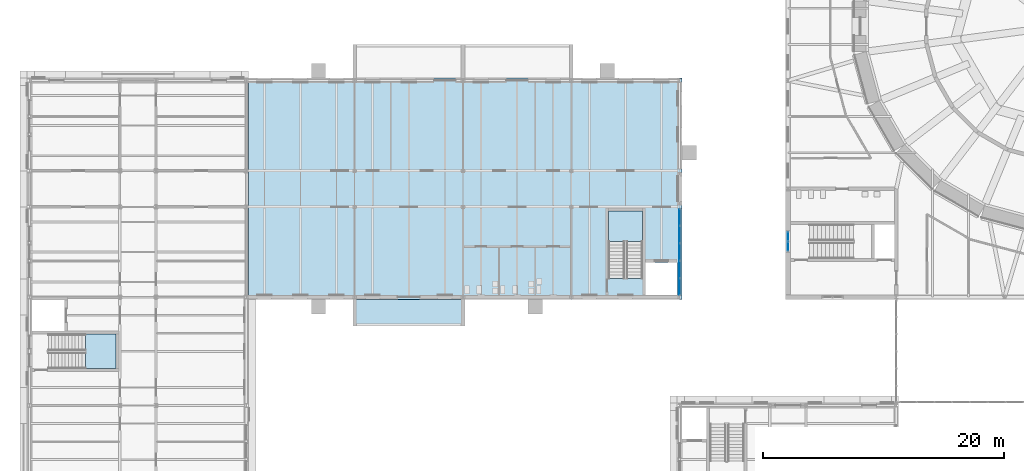
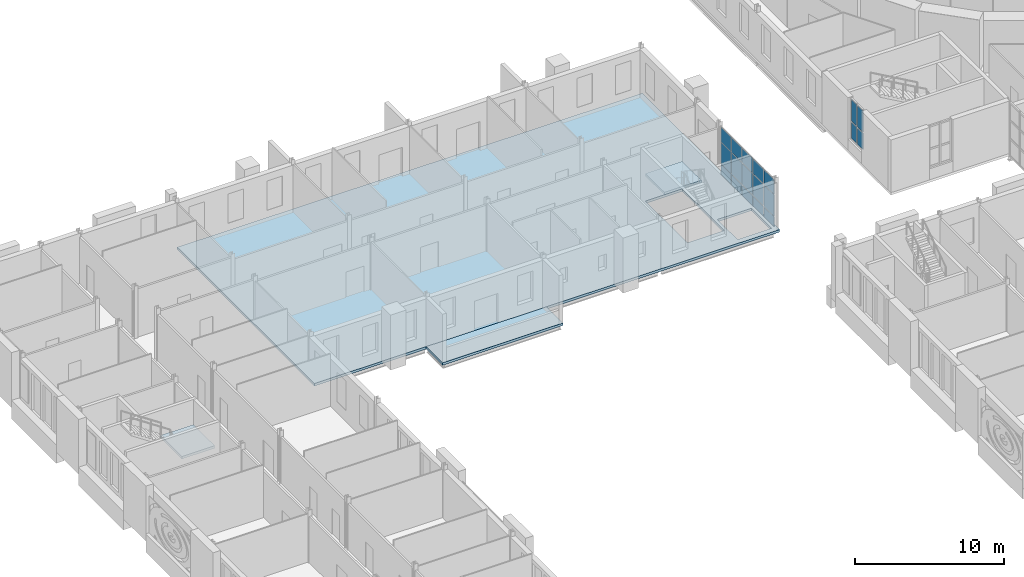
# One storey, part 64 of 131: 19 plates, 4 slabs, 4 elements without a shape of their own.
"""IFC4 building model written with IfcOpenShell, lengths in metres."""

from ifc_helpers import new_model, si_unit, direction, frame, origin, origin_2d, place, context, subcontext, project, spatial, polyline, rectangle, outline, extrude, material, layer, layer_set, type_object, element, aggregate, save


model = new_model("IFC4")

# Units and contexts
model_context = context("Model", 3, precision=1e-05, world=origin(), true_north=direction((0.0, 1.0)))
body_context = subcontext(model_context, "Body", "Model", "MODEL_VIEW")
ifc_project = project(units=[si_unit("LENGTHUNIT", "METRE"), si_unit("AREAUNIT", "SQUARE_METRE"), si_unit("VOLUMEUNIT", "CUBIC_METRE"), si_unit("PLANEANGLEUNIT", "RADIAN"), si_unit("MASSUNIT", "GRAM", prefix="KILO")], contexts=[model_context])

# Site, building, storey
site_placement = place(None, origin())
site = spatial("IfcSite", under=ifc_project, at=site_placement, CompositionType="ELEMENT")
building_placement = place(site_placement, origin())
building = spatial("IfcBuilding", under=site, at=building_placement, Name="Golden Quay Civic Hall", CompositionType="ELEMENT")
storey_placement = place(building_placement, frame((0.0, 0.0, 9.89990234375)))
storey = spatial("IfcBuildingStorey", under=building, at=storey_placement, Name="L02", CompositionType="ELEMENT", Elevation=9.89990234375)

# Slab
ifc_material_1 = material(Name="Concrete C35/45", Category="concrete")
ifc_layer_1 = layer(ifc_material_1, 0.199951171875)
ifc_layer_set_1 = layer_set([ifc_layer_1], Name="Composite floor 200")
slab_type_1 = type_object("IfcSlabType", Name="Composite floor 200", PredefinedType="FLOOR", material=ifc_layer_set_1)
slab_1_placement = place(storey_placement, frame((0.0, 0.0, -0.199951171875)))
element("IfcSlab", 1, at=slab_1_placement, inside=storey, type_object=slab_type_1, Name="NW floor L02", PredefinedType="FLOOR", context=body_context, shape_type="SweptSolid", body=[
    extrude(outline(polyline([(18.199951171875, 62.800048828125), (18.199951171875, 81.199951171875), (54.199951171875, 81.199951171875), (54.199951171875, 62.800048828125), (18.199951171875, 62.800048828125)]), holes=[polyline([(48.074951171875, 70.175048828125), (48.074951171875, 64.554931640625), (50.925048828125, 64.554931640625), (50.925048828125, 70.175048828125), (48.074951171875, 70.175048828125)]), polyline([(53.800048828125, 65.89990234375), (51.175048828125, 65.89990234375), (51.175048828125, 63.199951171875), (53.800048828125, 63.199951171875), (53.800048828125, 65.89990234375)])]), origin(), (0.0, 0.0, 1.0), 0.199951171875),
])

# Stair, slab
ifc_material_2 = material(Name="Concrete C35/45", Category="concrete")
stair_type = type_object("IfcStairType", Name="Concrete stair 1350 wide 24 risers of 187.5", PredefinedType="HALF_TURN_STAIR", material=ifc_material_2)
stair_1_placement = place(storey_placement, origin())
stair_1 = element("IfcStair", 2, at=stair_1_placement, inside=storey, type_object=stair_type, Name="L02 Stair WO-N", PredefinedType="HALF_TURN_STAIR")
ifc_material_3 = material(Name="Concrete C35/45", Category="concrete")
ifc_layer_2 = layer(ifc_material_3, 0.199951171875)
ifc_layer_set_2 = layer_set([ifc_layer_2], Name="Concrete stair landing 200, Concrete C35/45")
slab_type_2 = type_object("IfcSlabType", Name="Concrete stair landing 200", PredefinedType="LANDING", material=ifc_layer_set_2)
slab_2_placement = place(storey_placement, frame((0.0, 0.0, 2.050048828125)))
slab_2 = element("IfcSlab", 3, at=slab_2_placement, type_object=slab_type_2, Name="WO-N landing 1", PredefinedType="LANDING", context=body_context, shape_type="SweptSolid", body=[
    extrude(outline(polyline([(4.6298828125, 57.074951171875), (7.175048828125, 57.074951171875), (7.175048828125, 59.925048828125), (4.6298828125, 59.925048828125), (4.6298828125, 57.074951171875)])), origin(), (0.0, 0.0, 1.0), 0.199951171875),
])
aggregate(stair_1, [slab_2])

stair_2_placement = place(storey_placement, origin())
stair_2 = element("IfcStair", 4, at=stair_2_placement, inside=storey, type_object=stair_type, Name="L02 Stair NW-E", PredefinedType="HALF_TURN_STAIR")
slab_3_placement = place(storey_placement, frame((0.0, 0.0, 2.050048828125)))
slab_3 = element("IfcSlab", 5, at=slab_3_placement, type_object=slab_type_2, Name="NW-E landing 1", PredefinedType="LANDING", context=body_context, shape_type="SweptSolid", body=[
    extrude(outline(polyline([(50.925048828125, 67.6298828125), (50.925048828125, 70.175048828125), (48.074951171875, 70.175048828125), (48.074951171875, 67.6298828125), (50.925048828125, 67.6298828125)])), origin(), (0.0, 0.0, 1.0), 0.199951171875),
])
aggregate(stair_2, [slab_3])

# Curtain wall, plates
ifc_material_4 = material(Name="Glass, laminated double glazed", Category="glass")
ifc_layer_3 = layer(ifc_material_4, 0.199951171875)
ifc_layer_set_3 = layer_set([ifc_layer_3], Name="Glazed core strip curtain wall")
curtain_wall_type_1 = type_object("IfcCurtainWallType", Name="Glazed core strip curtain wall", PredefinedType="NOTDEFINED", material=ifc_layer_set_3)
curtain_wall_1_placement = place(storey_placement, origin())
curtain_wall_1 = element("IfcCurtainWall", 6, at=curtain_wall_1_placement, inside=storey, type_object=curtain_wall_type_1, Name="Glazed core strip curtain wall L02 2", PredefinedType="NOTDEFINED")
ifc_material_5 = material(Name="Glass, laminated double glazed", Category="glass")
ifc_layer_4 = layer(ifc_material_5, 0.028076171875)
ifc_layer_set_4 = layer_set([ifc_layer_4], Name="Double glazed curtain wall panel 28")
plate_type_1 = type_object("IfcPlateType", Name="Double glazed curtain wall panel 28", PredefinedType="CURTAIN_PANEL", material=ifc_layer_set_4)
plate_1_placement = place(storey_placement, frame((54.0, 69.626953125, 0.06005859375), z_axis=(0.0, 0.0, 1.0), x_axis=(0.0, -1.0, 0.0)))
plate_1 = element("IfcPlate", 7, at=plate_1_placement, type_object=plate_type_1, Name="CW2 panel 1.1", PredefinedType="CURTAIN_PANEL", context=body_context, shape_type="SweptSolid", body=[
    extrude(rectangle(XDim=1.35595703125, YDim=0.028076171875, at=origin_2d()), origin(), (0.0, 0.0, 1.0), 0.81005859375),
])
plate_2_placement = place(storey_placement, frame((54.0, 69.626953125, 0.93017578125), z_axis=(0.0, 0.0, 1.0), x_axis=(0.0, -1.0, 0.0)))
plate_2 = element("IfcPlate", 8, at=plate_2_placement, type_object=plate_type_1, Name="CW2 panel 1.2", PredefinedType="CURTAIN_PANEL", context=body_context, shape_type="SweptSolid", body=[
    extrude(rectangle(XDim=1.35595703125, YDim=0.028076171875, at=origin_2d()), origin(), (0.0, 0.0, 1.0), 1.739990234375),
])
plate_3_placement = place(storey_placement, frame((54.0, 69.626953125, 2.72998046875), z_axis=(0.0, 0.0, 1.0), x_axis=(0.0, -1.0, 0.0)))
plate_3 = element("IfcPlate", 9, at=plate_3_placement, type_object=plate_type_1, Name="CW2 panel 1.3", PredefinedType="CURTAIN_PANEL", context=body_context, shape_type="SweptSolid", body=[
    extrude(rectangle(XDim=1.35595703125, YDim=0.028076171875, at=origin_2d()), origin(), (0.0, 0.0, 1.0), 1.179931640625),
])
plate_4_placement = place(storey_placement, frame((54.0, 68.196044921875, 0.06005859375), z_axis=(0.0, 0.0, 1.0), x_axis=(0.0, -1.0, 0.0)))
plate_4 = element("IfcPlate", 10, at=plate_4_placement, type_object=plate_type_1, Name="CW2 panel 2.1", PredefinedType="CURTAIN_PANEL", context=body_context, shape_type="SweptSolid", body=[
    extrude(rectangle(XDim=1.385986328125, YDim=0.028076171875, at=origin_2d()), origin(), (0.0, 0.0, 1.0), 0.81005859375),
])
plate_5_placement = place(storey_placement, frame((54.0, 68.196044921875, 0.93017578125), z_axis=(0.0, 0.0, 1.0), x_axis=(0.0, -1.0, 0.0)))
plate_5 = element("IfcPlate", 11, at=plate_5_placement, type_object=plate_type_1, Name="CW2 panel 2.2", PredefinedType="CURTAIN_PANEL", context=body_context, shape_type="SweptSolid", body=[
    extrude(rectangle(XDim=1.385986328125, YDim=0.028076171875, at=origin_2d()), origin(), (0.0, 0.0, 1.0), 1.739990234375),
])
plate_6_placement = place(storey_placement, frame((54.0, 68.196044921875, 2.72998046875), z_axis=(0.0, 0.0, 1.0), x_axis=(0.0, -1.0, 0.0)))
plate_6 = element("IfcPlate", 12, at=plate_6_placement, type_object=plate_type_1, Name="CW2 panel 2.3", PredefinedType="CURTAIN_PANEL", context=body_context, shape_type="SweptSolid", body=[
    extrude(rectangle(XDim=1.385986328125, YDim=0.028076171875, at=origin_2d()), origin(), (0.0, 0.0, 1.0), 1.179931640625),
])
plate_7_placement = place(storey_placement, frame((54.0, 66.75, 0.06005859375), z_axis=(0.0, 0.0, 1.0), x_axis=(0.0, -1.0, 0.0)))
plate_7 = element("IfcPlate", 13, at=plate_7_placement, type_object=plate_type_1, Name="CW2 panel 3.1", PredefinedType="CURTAIN_PANEL", context=body_context, shape_type="SweptSolid", body=[
    extrude(rectangle(XDim=1.385986328125, YDim=0.028076171875, at=origin_2d()), origin(), (0.0, 0.0, 1.0), 0.81005859375),
])
plate_8_placement = place(storey_placement, frame((54.0, 66.75, 0.93017578125), z_axis=(0.0, 0.0, 1.0), x_axis=(0.0, -1.0, 0.0)))
plate_8 = element("IfcPlate", 14, at=plate_8_placement, type_object=plate_type_1, Name="CW2 panel 3.2", PredefinedType="CURTAIN_PANEL", context=body_context, shape_type="SweptSolid", body=[
    extrude(rectangle(XDim=1.385986328125, YDim=0.028076171875, at=origin_2d()), origin(), (0.0, 0.0, 1.0), 1.739990234375),
])
plate_9_placement = place(storey_placement, frame((54.0, 66.75, 2.72998046875), z_axis=(0.0, 0.0, 1.0), x_axis=(0.0, -1.0, 0.0)))
plate_9 = element("IfcPlate", 15, at=plate_9_placement, type_object=plate_type_1, Name="CW2 panel 3.3", PredefinedType="CURTAIN_PANEL", context=body_context, shape_type="SweptSolid", body=[
    extrude(rectangle(XDim=1.385986328125, YDim=0.028076171875, at=origin_2d()), origin(), (0.0, 0.0, 1.0), 1.179931640625),
])
plate_10_placement = place(storey_placement, frame((54.0, 65.303955078125, 0.06005859375), z_axis=(0.0, 0.0, 1.0), x_axis=(0.0, -1.0, 0.0)))
plate_10 = element("IfcPlate", 16, at=plate_10_placement, type_object=plate_type_1, Name="CW2 panel 4.1", PredefinedType="CURTAIN_PANEL", context=body_context, shape_type="SweptSolid", body=[
    extrude(rectangle(XDim=1.385986328125, YDim=0.028076171875, at=origin_2d()), origin(), (0.0, 0.0, 1.0), 0.81005859375),
])
plate_11_placement = place(storey_placement, frame((54.0, 65.303955078125, 0.93017578125), z_axis=(0.0, 0.0, 1.0), x_axis=(0.0, -1.0, 0.0)))
plate_11 = element("IfcPlate", 17, at=plate_11_placement, type_object=plate_type_1, Name="CW2 panel 4.2", PredefinedType="CURTAIN_PANEL", context=body_context, shape_type="SweptSolid", body=[
    extrude(rectangle(XDim=1.385986328125, YDim=0.028076171875, at=origin_2d()), origin(), (0.0, 0.0, 1.0), 1.739990234375),
])
plate_12_placement = place(storey_placement, frame((54.0, 65.303955078125, 2.72998046875), z_axis=(0.0, 0.0, 1.0), x_axis=(0.0, -1.0, 0.0)))
plate_12 = element("IfcPlate", 18, at=plate_12_placement, type_object=plate_type_1, Name="CW2 panel 4.3", PredefinedType="CURTAIN_PANEL", context=body_context, shape_type="SweptSolid", body=[
    extrude(rectangle(XDim=1.385986328125, YDim=0.028076171875, at=origin_2d()), origin(), (0.0, 0.0, 1.0), 1.179931640625),
])
plate_13_placement = place(storey_placement, frame((54.0, 63.873046875, 0.06005859375), z_axis=(0.0, 0.0, 1.0), x_axis=(0.0, -1.0, 0.0)))
plate_13 = element("IfcPlate", 19, at=plate_13_placement, type_object=plate_type_1, Name="CW2 panel 5.1", PredefinedType="CURTAIN_PANEL", context=body_context, shape_type="SweptSolid", body=[
    extrude(rectangle(XDim=1.35595703125, YDim=0.028076171875, at=origin_2d()), origin(), (0.0, 0.0, 1.0), 0.81005859375),
])
plate_14_placement = place(storey_placement, frame((54.0, 63.873046875, 0.93017578125), z_axis=(0.0, 0.0, 1.0), x_axis=(0.0, -1.0, 0.0)))
plate_14 = element("IfcPlate", 20, at=plate_14_placement, type_object=plate_type_1, Name="CW2 panel 5.2", PredefinedType="CURTAIN_PANEL", context=body_context, shape_type="SweptSolid", body=[
    extrude(rectangle(XDim=1.35595703125, YDim=0.028076171875, at=origin_2d()), origin(), (0.0, 0.0, 1.0), 1.739990234375),
])
plate_15_placement = place(storey_placement, frame((54.0, 63.873046875, 2.72998046875), z_axis=(0.0, 0.0, 1.0), x_axis=(0.0, -1.0, 0.0)))
plate_15 = element("IfcPlate", 21, at=plate_15_placement, type_object=plate_type_1, Name="CW2 panel 5.3", PredefinedType="CURTAIN_PANEL", context=body_context, shape_type="SweptSolid", body=[
    extrude(rectangle(XDim=1.35595703125, YDim=0.028076171875, at=origin_2d()), origin(), (0.0, 0.0, 1.0), 1.179931640625),
])
aggregate(curtain_wall_1, [plate_1, plate_2, plate_3, plate_4, plate_5, plate_6, plate_7, plate_8, plate_9, plate_10, plate_11, plate_12, plate_13, plate_14, plate_15])

ifc_material_6 = material(Name="Fire-resisting glass and steel", Category="steel")
curtain_wall_type_2 = type_object("IfcCurtainWallType", Name="Fire-resisting glazed stair curtain wall EI 120", PredefinedType="NOTDEFINED", material=ifc_material_6)
curtain_wall_2_placement = place(storey_placement, origin())
curtain_wall_2 = element("IfcCurtainWall", 22, at=curtain_wall_2_placement, inside=storey, type_object=curtain_wall_type_2, Name="CW4 stair curtain wall", PredefinedType="NOTDEFINED")
ifc_material_7 = material(Name="Fire-resisting laminated glass", Category="glass")
ifc_layer_5 = layer(ifc_material_7, 0.0400390625)
ifc_layer_set_5 = layer_set([ifc_layer_5], Name="Fire-resisting glazed stair panel 40")
plate_type_2 = type_object("IfcPlateType", Name="Fire-resisting glazed stair panel 40", PredefinedType="CURTAIN_PANEL", material=ifc_layer_set_5)
plate_16_placement = place(storey_placement, frame((63.0, 67.205078125, 1.02001953125), z_axis=(0.0, 0.0, 1.0), x_axis=(0.0, 1.0, 0.0)))
plate_16 = element("IfcPlate", 23, at=plate_16_placement, type_object=plate_type_2, Name="CW4 panel 1.1", PredefinedType="CURTAIN_PANEL", context=body_context, shape_type="SweptSolid", body=[
    extrude(rectangle(XDim=0.719970703125, YDim=0.0400390625, at=origin_2d()), origin(), (0.0, 0.0, 1.0), 1.320068359375),
])
plate_17_placement = place(storey_placement, frame((63.0, 67.205078125, 2.4599609375), z_axis=(0.0, 0.0, 1.0), x_axis=(0.0, 1.0, 0.0)))
plate_17 = element("IfcPlate", 24, at=plate_17_placement, type_object=plate_type_2, Name="CW4 panel 1.2", PredefinedType="CURTAIN_PANEL", context=body_context, shape_type="SweptSolid", body=[
    extrude(rectangle(XDim=0.719970703125, YDim=0.0400390625, at=origin_2d()), origin(), (0.0, 0.0, 1.0), 1.719970703125),
])
plate_18_placement = place(storey_placement, frame((63.0, 68.044921875, 1.02001953125), z_axis=(0.0, 0.0, 1.0), x_axis=(0.0, 1.0, 0.0)))
plate_18 = element("IfcPlate", 25, at=plate_18_placement, type_object=plate_type_2, Name="CW4 panel 2.1", PredefinedType="CURTAIN_PANEL", context=body_context, shape_type="SweptSolid", body=[
    extrude(rectangle(XDim=0.719970703125, YDim=0.0400390625, at=origin_2d()), origin(), (0.0, 0.0, 1.0), 1.320068359375),
])
plate_19_placement = place(storey_placement, frame((63.0, 68.044921875, 2.4599609375), z_axis=(0.0, 0.0, 1.0), x_axis=(0.0, 1.0, 0.0)))
plate_19 = element("IfcPlate", 26, at=plate_19_placement, type_object=plate_type_2, Name="CW4 panel 2.2", PredefinedType="CURTAIN_PANEL", context=body_context, shape_type="SweptSolid", body=[
    extrude(rectangle(XDim=0.719970703125, YDim=0.0400390625, at=origin_2d()), origin(), (0.0, 0.0, 1.0), 1.719970703125),
])
aggregate(curtain_wall_2, [plate_16, plate_17, plate_18, plate_19])

# Slab
ifc_material_8 = material(Name="Concrete C35/45", Category="concrete")
ifc_layer_6 = layer(ifc_material_8, 0.199951171875)
ifc_layer_set_6 = layer_set([ifc_layer_6], Name="Loggia deck 200")
slab_type_3 = type_object("IfcSlabType", Name="Loggia deck 200", PredefinedType="FLOOR", material=ifc_layer_set_6)
slab_4_placement = place(storey_placement, frame((0.0, 0.0, -0.199951171875)))
element("IfcSlab", 27, at=slab_4_placement, inside=storey, type_object=slab_type_3, Name="Loggia deck 200 L02 2", PredefinedType="FLOOR", context=body_context, shape_type="SweptSolid", body=[
    extrude(outline(polyline([(26.85009765625, 62.800048828125), (36.14990234375, 62.800048828125), (36.14990234375, 60.60009765625), (26.85009765625, 60.60009765625), (26.85009765625, 62.800048828125)])), origin(), (0.0, 0.0, 1.0), 0.199951171875),
])

save(model, "model.ifc")
